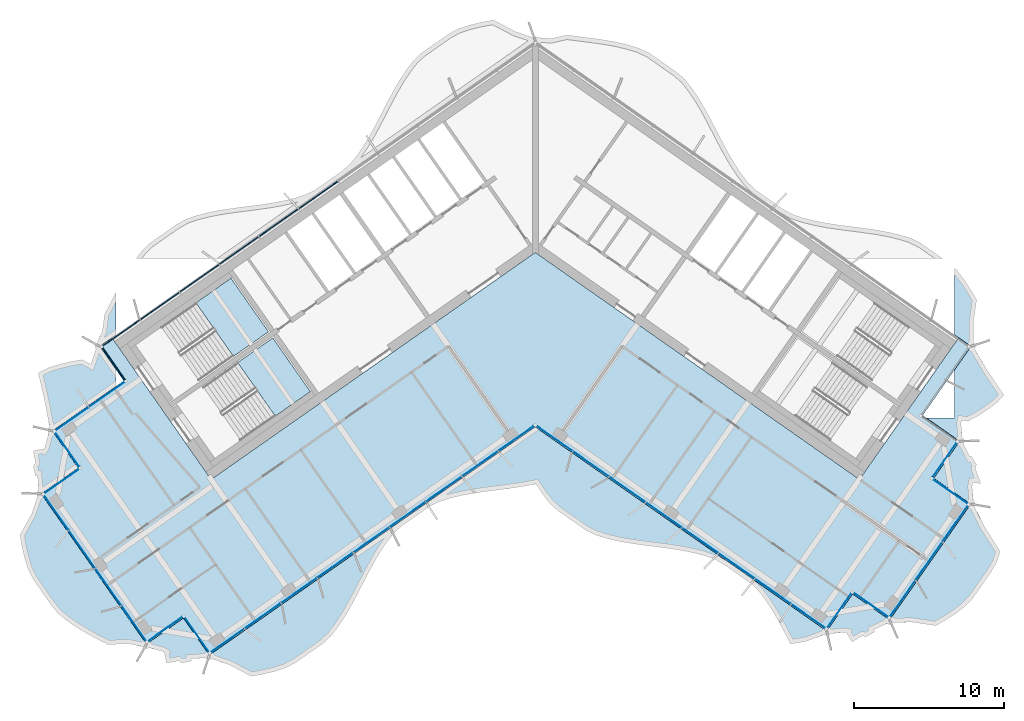
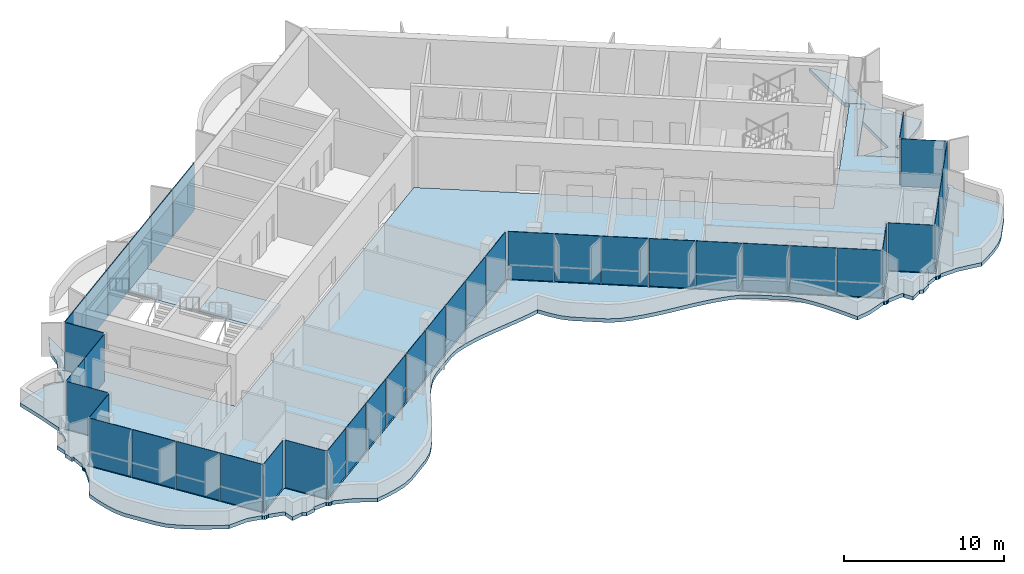
# One storey, part 7 of 17: 41 plates, 4 slabs, 4 elements without a shape of their own.
"""IFC4 building model written with IfcOpenShell, lengths in metres."""

from ifc_helpers import new_model, si_unit, direction, frame, origin, origin_2d, place, context, subcontext, project, spatial, polyline, rectangle, outline, extrude, material, layer, layer_set, type_object, element, aggregate, save


model = new_model("IFC4")

# Units and contexts
model_context = context("Model", 3, precision=1e-05, world=origin(), true_north=direction((0.0, 1.0)))
body_context = subcontext(model_context, "Body", "Model", "MODEL_VIEW")
ifc_project = project(units=[si_unit("LENGTHUNIT", "METRE"), si_unit("AREAUNIT", "SQUARE_METRE"), si_unit("VOLUMEUNIT", "CUBIC_METRE"), si_unit("PLANEANGLEUNIT", "RADIAN"), si_unit("MASSUNIT", "GRAM", prefix="KILO")], contexts=[model_context])

# Site, building, storey
site_placement = place(None, origin())
site = spatial("IfcSite", under=ifc_project, at=site_placement, CompositionType="ELEMENT")
building_placement = place(site_placement, origin())
building = spatial("IfcBuilding", under=site, at=building_placement, Name="Tel Ilan Convention Tower", CompositionType="ELEMENT")
storey_placement = place(building_placement, frame((0.0, 0.0, 283.89990234375)))
storey = spatial("IfcBuildingStorey", under=building, at=storey_placement, Name="L67", CompositionType="ELEMENT", Elevation=283.89990234375)

# Curtain wall, plates
ifc_material_1 = material(Name="Aluminium, bronze anodised", Category="aluminium")
curtain_wall_type_1 = type_object("IfcCurtainWallType", Name="CW2 STICK CURTAIN WALL, SPANDREL PANELS", PredefinedType="NOTDEFINED", material=ifc_material_1)
curtain_wall_1_placement = place(storey_placement, origin())
curtain_wall_1 = element("IfcCurtainWall", 1, at=curtain_wall_1_placement, inside=storey, type_object=curtain_wall_type_1, Name="Curtain wall CW2-50.01", PredefinedType="NOTDEFINED")
ifc_material_2 = material(Name="Aluminium composite panel, bronze anodised", Category="aluminium")
ifc_layer_1 = layer(ifc_material_2, 0.06005859375)
ifc_layer_set_1 = layer_set([ifc_layer_1], Name="CW SPANDREL PANEL 60")
plate_type_1 = type_object("IfcPlateType", Name="CW SPANDREL PANEL 60", PredefinedType="CURTAIN_PANEL", material=ifc_layer_set_1)
plate_1_placement = place(storey_placement, frame((-14.422119140625, 2.59765625, 0.0), z_axis=(0.0, 0.0, 1.0), x_axis=(-0.819152044289, -0.573576436351, 0.0)))
plate_1 = element("IfcPlate", 2, at=plate_1_placement, type_object=plate_type_1, Name="Spandrel panel", PredefinedType="CURTAIN_PANEL", context=body_context, shape_type="SweptSolid", body=[
    extrude(rectangle(XDim=3.15380859375, YDim=0.06005859375, at=origin_2d()), origin(), (0.0, 0.0, 1.0), 3.6201171875),
])
plate_2_placement = place(storey_placement, frame((-17.0546875, 0.754150390625, 0.0), z_axis=(0.0, 0.0, 1.0), x_axis=(-0.819152044289, -0.573576436351, 0.0)))
plate_2 = element("IfcPlate", 3, at=plate_2_placement, type_object=plate_type_1, Name="Spandrel panel", PredefinedType="CURTAIN_PANEL", context=body_context, shape_type="SweptSolid", body=[
    extrude(rectangle(XDim=3.15380859375, YDim=0.06005859375, at=origin_2d()), origin(), (0.0, 0.0, 1.0), 3.6201171875),
])
plate_3_placement = place(storey_placement, frame((-19.687255859375, -1.089111328125, 0.0), z_axis=(0.0, 0.0, 1.0), x_axis=(-0.819152044289, -0.573576436351, 0.0)))
plate_3 = element("IfcPlate", 4, at=plate_3_placement, type_object=plate_type_1, Name="Spandrel panel", PredefinedType="CURTAIN_PANEL", context=body_context, shape_type="SweptSolid", body=[
    extrude(rectangle(XDim=3.15380859375, YDim=0.06005859375, at=origin_2d()), origin(), (0.0, 0.0, 1.0), 3.6201171875),
])
plate_4_placement = place(storey_placement, frame((-22.31982421875, -2.9326171875, 0.0), z_axis=(0.0, 0.0, 1.0), x_axis=(-0.819152044289, -0.573576436351, 0.0)))
plate_4 = element("IfcPlate", 5, at=plate_4_placement, type_object=plate_type_1, Name="Spandrel panel", PredefinedType="CURTAIN_PANEL", context=body_context, shape_type="SweptSolid", body=[
    extrude(rectangle(XDim=3.15380859375, YDim=0.06005859375, at=origin_2d()), origin(), (0.0, 0.0, 1.0), 3.6201171875),
])
plate_5_placement = place(storey_placement, frame((-24.95263671875, -4.77587890625, 0.0), z_axis=(0.0, 0.0, 1.0), x_axis=(-0.819152044289, -0.573576436351, 0.0)))
plate_5 = element("IfcPlate", 6, at=plate_5_placement, type_object=plate_type_1, Name="Spandrel panel", PredefinedType="CURTAIN_PANEL", context=body_context, shape_type="SweptSolid", body=[
    extrude(rectangle(XDim=3.15380859375, YDim=0.06005859375, at=origin_2d()), origin(), (0.0, 0.0, 1.0), 3.6201171875),
])
plate_6_placement = place(storey_placement, frame((-27.5400390625, -6.587646484375, 0.0), z_axis=(0.0, 0.0, 1.0), x_axis=(-0.819152044289, -0.573576436351, 0.0)))
plate_6 = element("IfcPlate", 7, at=plate_6_placement, type_object=plate_type_1, Name="Spandrel panel", PredefinedType="CURTAIN_PANEL", context=body_context, shape_type="SweptSolid", body=[
    extrude(rectangle(XDim=3.0439453125, YDim=0.06005859375, at=origin_2d()), origin(), (0.0, 0.0, 1.0), 3.6201171875),
])
plate_7_placement = place(storey_placement, frame((-28.033935546875, -8.60546875, 0.0), z_axis=(0.0, 0.0, 1.0), x_axis=(0.573576436351, -0.819152044289, 0.0)))
plate_7 = element("IfcPlate", 8, at=plate_7_placement, type_object=plate_type_1, Name="Spandrel panel", PredefinedType="CURTAIN_PANEL", context=body_context, shape_type="SweptSolid", body=[
    extrude(rectangle(XDim=2.658935546875, YDim=0.06005859375, at=origin_2d()), origin(), (0.0, 0.0, 1.0), 3.6201171875),
])
aggregate(curtain_wall_1, [plate_1, plate_2, plate_3, plate_4, plate_5, plate_6, plate_7])

ifc_material_3 = material(Name="Aluminium, bronze anodised", Category="aluminium")
curtain_wall_type_2 = type_object("IfcCurtainWallType", Name="CW5 STICK CURTAIN WALL, UPPER OFFICE LOW-IRON TINTED GLASS", PredefinedType="NOTDEFINED", material=ifc_material_3)
curtain_wall_2_placement = place(storey_placement, origin())
curtain_wall_2 = element("IfcCurtainWall", 9, at=curtain_wall_2_placement, inside=storey, type_object=curtain_wall_type_2, Name="Curtain wall CW5-50.02", PredefinedType="NOTDEFINED")
ifc_material_4 = material(Name="Glass, low-iron bronze tinted, two-ply", Category="glass")
ifc_layer_2 = layer(ifc_material_4, 0.031982421875)
ifc_layer_set_2 = layer_set([ifc_layer_2], Name="CW UPPER GLASS PANEL 32")
plate_type_2 = type_object("IfcPlateType", Name="CW UPPER GLASS PANEL 32", PredefinedType="CURTAIN_PANEL", material=ifc_layer_set_2)
plate_8_placement = place(storey_placement, frame((-28.471435546875, -10.657958984375, 0.0), z_axis=(0.0, 0.0, 1.0), x_axis=(-0.819152044289, -0.573576436351, 0.0)))
plate_8 = element("IfcPlate", 10, at=plate_8_placement, type_object=plate_type_2, Name="Glass panel", PredefinedType="CURTAIN_PANEL", context=body_context, shape_type="SweptSolid", body=[
    extrude(rectangle(XDim=2.868896484375, YDim=0.028076171875, at=origin_2d()), origin(), (0.0, 0.0, 1.0), 3.6201171875),
])
plate_9_placement = place(storey_placement, frame((-30.8203125, -12.302734375, 0.0), z_axis=(0.0, 0.0, 1.0), x_axis=(-0.819152044289, -0.573576436351, 0.0)))
plate_9 = element("IfcPlate", 11, at=plate_9_placement, type_object=plate_type_2, Name="Glass panel", PredefinedType="CURTAIN_PANEL", context=body_context, shape_type="SweptSolid", body=[
    extrude(rectangle(XDim=2.74609375, YDim=0.028076171875, at=origin_2d()), origin(), (0.0, 0.0, 1.0), 3.6201171875),
])
plate_10_placement = place(storey_placement, frame((-31.126220703125, -14.30126953125, 0.0), z_axis=(0.0, 0.0, 1.0), x_axis=(0.573576436351, -0.819152044289, 0.0)))
plate_10 = element("IfcPlate", 12, at=plate_10_placement, type_object=plate_type_2, Name="Glass panel", PredefinedType="CURTAIN_PANEL", context=body_context, shape_type="SweptSolid", body=[
    extrude(rectangle(XDim=2.875, YDim=0.028076171875, at=origin_2d()), origin(), (0.0, 0.0, 1.0), 3.6201171875),
])
plate_11_placement = place(storey_placement, frame((-31.504150390625, -16.44384765625, 0.0), z_axis=(0.0, 0.0, 1.0), x_axis=(-0.819152044289, -0.573576436351, 0.0)))
plate_11 = element("IfcPlate", 13, at=plate_11_placement, type_object=plate_type_2, Name="Glass panel", PredefinedType="CURTAIN_PANEL", context=body_context, shape_type="SweptSolid", body=[
    extrude(rectangle(XDim=2.875, YDim=0.028076171875, at=origin_2d()), origin(), (0.0, 0.0, 1.0), 3.6201171875),
])
plate_12_placement = place(storey_placement, frame((-31.85693359375, -18.488037109375, 0.0), z_axis=(0.0, 0.0, 1.0), x_axis=(0.573576436351, -0.819152044289, 0.0)))
plate_12 = element("IfcPlate", 14, at=plate_12_placement, type_object=plate_type_2, Name="Glass panel", PredefinedType="CURTAIN_PANEL", context=body_context, shape_type="SweptSolid", body=[
    extrude(rectangle(XDim=2.89599609375, YDim=0.028076171875, at=origin_2d()), origin(), (0.0, 0.0, 1.0), 3.6201171875),
])
plate_13_placement = place(storey_placement, frame((-30.134521484375, -20.94775390625, 0.0), z_axis=(0.0, 0.0, 1.0), x_axis=(0.573576436351, -0.819152044289, 0.0)))
plate_13 = element("IfcPlate", 15, at=plate_13_placement, type_object=plate_type_2, Name="Glass panel", PredefinedType="CURTAIN_PANEL", context=body_context, shape_type="SweptSolid", body=[
    extrude(rectangle(XDim=2.989990234375, YDim=0.028076171875, at=origin_2d()), origin(), (0.0, 0.0, 1.0), 3.6201171875),
])
plate_14_placement = place(storey_placement, frame((-28.38525390625, -23.4462890625, 0.0), z_axis=(0.0, 0.0, 1.0), x_axis=(0.573576436351, -0.819152044289, 0.0)))
plate_14 = element("IfcPlate", 16, at=plate_14_placement, type_object=plate_type_2, Name="Glass panel", PredefinedType="CURTAIN_PANEL", context=body_context, shape_type="SweptSolid", body=[
    extrude(rectangle(XDim=2.989990234375, YDim=0.028076171875, at=origin_2d()), origin(), (0.0, 0.0, 1.0), 3.6201171875),
])
plate_15_placement = place(storey_placement, frame((-26.66259765625, -25.90625, 0.0), z_axis=(0.0, 0.0, 1.0), x_axis=(0.573576436351, -0.819152044289, 0.0)))
plate_15 = element("IfcPlate", 17, at=plate_15_placement, type_object=plate_type_2, Name="Glass panel", PredefinedType="CURTAIN_PANEL", context=body_context, shape_type="SweptSolid", body=[
    extrude(rectangle(XDim=2.89599609375, YDim=0.028076171875, at=origin_2d()), origin(), (0.0, 0.0, 1.0), 3.6201171875),
])
plate_16_placement = place(storey_placement, frame((-24.621337890625, -26.273681640625, 0.0), z_axis=(0.0, 0.0, 1.0), x_axis=(0.819152044289, 0.573576436351, 0.0)))
plate_16 = element("IfcPlate", 18, at=plate_16_placement, type_object=plate_type_2, Name="Glass panel", PredefinedType="CURTAIN_PANEL", context=body_context, shape_type="SweptSolid", body=[
    extrude(rectangle(XDim=2.875, YDim=0.028076171875, at=origin_2d()), origin(), (0.0, 0.0, 1.0), 3.6201171875),
])
plate_17_placement = place(storey_placement, frame((-22.478515625, -26.651611328125, 0.0), z_axis=(0.0, 0.0, 1.0), x_axis=(0.573576436351, -0.819152044289, 0.0)))
plate_17 = element("IfcPlate", 19, at=plate_17_placement, type_object=plate_type_2, Name="Glass panel", PredefinedType="CURTAIN_PANEL", context=body_context, shape_type="SweptSolid", body=[
    extrude(rectangle(XDim=2.875, YDim=0.028076171875, at=origin_2d()), origin(), (0.0, 0.0, 1.0), 3.6201171875),
])
plate_18_placement = place(storey_placement, frame((-20.47998046875, -27.036376953125, 0.0), z_axis=(0.0, 0.0, 1.0), x_axis=(0.819152044289, 0.573576436351, 0.0)))
plate_18 = element("IfcPlate", 20, at=plate_18_placement, type_object=plate_type_2, Name="Glass panel", PredefinedType="CURTAIN_PANEL", context=body_context, shape_type="SweptSolid", body=[
    extrude(rectangle(XDim=2.78466796875, YDim=0.028076171875, at=origin_2d()), origin(), (0.0, 0.0, 1.0), 3.6201171875),
])
plate_19_placement = place(storey_placement, frame((-18.111328125, -25.377685546875, 0.0), z_axis=(0.0, 0.0, 1.0), x_axis=(0.819152044289, 0.573576436351, 0.0)))
plate_19 = element("IfcPlate", 21, at=plate_19_placement, type_object=plate_type_2, Name="Glass panel", PredefinedType="CURTAIN_PANEL", context=body_context, shape_type="SweptSolid", body=[
    extrude(rectangle(XDim=2.878662109375, YDim=0.028076171875, at=origin_2d()), origin(), (0.0, 0.0, 1.0), 3.6201171875),
])
plate_20_placement = place(storey_placement, frame((-15.7041015625, -23.692138671875, 0.0), z_axis=(0.0, 0.0, 1.0), x_axis=(0.819152044289, 0.573576436351, 0.0)))
plate_20 = element("IfcPlate", 22, at=plate_20_placement, type_object=plate_type_2, Name="Glass panel", PredefinedType="CURTAIN_PANEL", context=body_context, shape_type="SweptSolid", body=[
    extrude(rectangle(XDim=2.878662109375, YDim=0.028076171875, at=origin_2d()), origin(), (0.0, 0.0, 1.0), 3.6201171875),
])
plate_21_placement = place(storey_placement, frame((-13.296875, -22.006591796875, 0.0), z_axis=(0.0, 0.0, 1.0), x_axis=(0.819152044289, 0.573576436351, 0.0)))
plate_21 = element("IfcPlate", 23, at=plate_21_placement, type_object=plate_type_2, Name="Glass panel", PredefinedType="CURTAIN_PANEL", context=body_context, shape_type="SweptSolid", body=[
    extrude(rectangle(XDim=2.878662109375, YDim=0.028076171875, at=origin_2d()), origin(), (0.0, 0.0, 1.0), 3.6201171875),
])
plate_22_placement = place(storey_placement, frame((-10.8896484375, -20.321044921875, 0.0), z_axis=(0.0, 0.0, 1.0), x_axis=(0.819152044289, 0.573576436351, 0.0)))
plate_22 = element("IfcPlate", 24, at=plate_22_placement, type_object=plate_type_2, Name="Glass panel", PredefinedType="CURTAIN_PANEL", context=body_context, shape_type="SweptSolid", body=[
    extrude(rectangle(XDim=2.878662109375, YDim=0.028076171875, at=origin_2d()), origin(), (0.0, 0.0, 1.0), 3.6201171875),
])
plate_23_placement = place(storey_placement, frame((-8.482666015625, -18.635498046875, 0.0), z_axis=(0.0, 0.0, 1.0), x_axis=(0.819152044289, 0.573576436351, 0.0)))
plate_23 = element("IfcPlate", 25, at=plate_23_placement, type_object=plate_type_2, Name="Glass panel", PredefinedType="CURTAIN_PANEL", context=body_context, shape_type="SweptSolid", body=[
    extrude(rectangle(XDim=2.878662109375, YDim=0.028076171875, at=origin_2d()), origin(), (0.0, 0.0, 1.0), 3.6201171875),
])
plate_24_placement = place(storey_placement, frame((-6.075439453125, -16.949951171875, 0.0), z_axis=(0.0, 0.0, 1.0), x_axis=(0.819152044289, 0.573576436351, 0.0)))
plate_24 = element("IfcPlate", 26, at=plate_24_placement, type_object=plate_type_2, Name="Glass panel", PredefinedType="CURTAIN_PANEL", context=body_context, shape_type="SweptSolid", body=[
    extrude(rectangle(XDim=2.878662109375, YDim=0.028076171875, at=origin_2d()), origin(), (0.0, 0.0, 1.0), 3.6201171875),
])
plate_25_placement = place(storey_placement, frame((-3.668212890625, -15.264404296875, 0.0), z_axis=(0.0, 0.0, 1.0), x_axis=(0.819152044289, 0.573576436351, 0.0)))
plate_25 = element("IfcPlate", 27, at=plate_25_placement, type_object=plate_type_2, Name="Glass panel", PredefinedType="CURTAIN_PANEL", context=body_context, shape_type="SweptSolid", body=[
    extrude(rectangle(XDim=2.878662109375, YDim=0.028076171875, at=origin_2d()), origin(), (0.0, 0.0, 1.0), 3.6201171875),
])
plate_26_placement = place(storey_placement, frame((-1.261474609375, -13.579345703125, 0.0), z_axis=(0.0, 0.0, 1.0), x_axis=(0.819152044289, 0.573576436351, 0.0)))
plate_26 = element("IfcPlate", 28, at=plate_26_placement, type_object=plate_type_2, Name="Glass panel", PredefinedType="CURTAIN_PANEL", context=body_context, shape_type="SweptSolid", body=[
    extrude(rectangle(XDim=2.877685546875, YDim=0.028076171875, at=origin_2d()), origin(), (0.0, 0.0, 1.0), 3.6201171875),
])
plate_27_placement = place(storey_placement, frame((1.280029296875, -13.59228515625, 0.0), z_axis=(0.0, 0.0, 1.0), x_axis=(0.819152044289, -0.573576436351, 0.0)))
plate_27 = element("IfcPlate", 29, at=plate_27_placement, type_object=plate_type_2, Name="Glass panel", PredefinedType="CURTAIN_PANEL", context=body_context, shape_type="SweptSolid", body=[
    extrude(rectangle(XDim=2.866943359375, YDim=0.028076171875, at=origin_2d()), origin(), (0.0, 0.0, 1.0), 3.6201171875),
])
plate_28_placement = place(storey_placement, frame((3.689453125, -15.279541015625, 0.0), z_axis=(0.0, 0.0, 1.0), x_axis=(0.819152044289, -0.573576436351, 0.0)))
plate_28 = element("IfcPlate", 30, at=plate_28_placement, type_object=plate_type_2, Name="Glass panel", PredefinedType="CURTAIN_PANEL", context=body_context, shape_type="SweptSolid", body=[
    extrude(rectangle(XDim=2.89599609375, YDim=0.028076171875, at=origin_2d()), origin(), (0.0, 0.0, 1.0), 3.6201171875),
])
plate_29_placement = place(storey_placement, frame((6.11083984375, -16.974853515625, 0.0), z_axis=(0.0, 0.0, 1.0), x_axis=(0.819152044289, -0.573576436351, 0.0)))
plate_29 = element("IfcPlate", 31, at=plate_29_placement, type_object=plate_type_2, Name="Glass panel", PredefinedType="CURTAIN_PANEL", context=body_context, shape_type="SweptSolid", body=[
    extrude(rectangle(XDim=2.89599609375, YDim=0.028076171875, at=origin_2d()), origin(), (0.0, 0.0, 1.0), 3.6201171875),
])
plate_30_placement = place(storey_placement, frame((8.5322265625, -18.67041015625, 0.0), z_axis=(0.0, 0.0, 1.0), x_axis=(0.819152044289, -0.573576436351, 0.0)))
plate_30 = element("IfcPlate", 32, at=plate_30_placement, type_object=plate_type_2, Name="Glass panel", PredefinedType="CURTAIN_PANEL", context=body_context, shape_type="SweptSolid", body=[
    extrude(rectangle(XDim=2.89599609375, YDim=0.028076171875, at=origin_2d()), origin(), (0.0, 0.0, 1.0), 3.6201171875),
])
plate_31_placement = place(storey_placement, frame((10.95361328125, -20.365966796875, 0.0), z_axis=(0.0, 0.0, 1.0), x_axis=(0.819152044289, -0.573576436351, 0.0)))
plate_31 = element("IfcPlate", 33, at=plate_31_placement, type_object=plate_type_2, Name="Glass panel", PredefinedType="CURTAIN_PANEL", context=body_context, shape_type="SweptSolid", body=[
    extrude(rectangle(XDim=2.89599609375, YDim=0.028076171875, at=origin_2d()), origin(), (0.0, 0.0, 1.0), 3.6201171875),
])
plate_32_placement = place(storey_placement, frame((13.375, -22.061279296875, 0.0), z_axis=(0.0, 0.0, 1.0), x_axis=(0.819152044289, -0.573576436351, 0.0)))
plate_32 = element("IfcPlate", 34, at=plate_32_placement, type_object=plate_type_2, Name="Glass panel", PredefinedType="CURTAIN_PANEL", context=body_context, shape_type="SweptSolid", body=[
    extrude(rectangle(XDim=2.89599609375, YDim=0.028076171875, at=origin_2d()), origin(), (0.0, 0.0, 1.0), 3.6201171875),
])
plate_33_placement = place(storey_placement, frame((15.79638671875, -23.7568359375, 0.0), z_axis=(0.0, 0.0, 1.0), x_axis=(0.819152044289, -0.573576436351, 0.0)))
plate_33 = element("IfcPlate", 35, at=plate_33_placement, type_object=plate_type_2, Name="Glass panel", PredefinedType="CURTAIN_PANEL", context=body_context, shape_type="SweptSolid", body=[
    extrude(rectangle(XDim=2.89599609375, YDim=0.028076171875, at=origin_2d()), origin(), (0.0, 0.0, 1.0), 3.6201171875),
])
plate_34_placement = place(storey_placement, frame((18.17919921875, -25.42529296875, 0.0), z_axis=(0.0, 0.0, 1.0), x_axis=(0.819152044289, -0.573576436351, 0.0)))
plate_34 = element("IfcPlate", 36, at=plate_34_placement, type_object=plate_type_2, Name="Glass panel", PredefinedType="CURTAIN_PANEL", context=body_context, shape_type="SweptSolid", body=[
    extrude(rectangle(XDim=2.802001953125, YDim=0.028076171875, at=origin_2d()), origin(), (0.0, 0.0, 1.0), 3.6201171875),
])
plate_35_placement = place(storey_placement, frame((20.184814453125, -25.04541015625, 0.0), z_axis=(0.0, 0.0, 1.0), x_axis=(0.573576436351, 0.819152044289, 0.0)))
plate_35 = element("IfcPlate", 37, at=plate_35_placement, type_object=plate_type_2, Name="Glass panel", PredefinedType="CURTAIN_PANEL", context=body_context, shape_type="SweptSolid", body=[
    extrude(rectangle(XDim=2.875, YDim=0.028076171875, at=origin_2d()), origin(), (0.0, 0.0, 1.0), 3.6201171875),
])
plate_36_placement = place(storey_placement, frame((22.32763671875, -24.667724609375, 0.0), z_axis=(0.0, 0.0, 1.0), x_axis=(0.819152044289, -0.573576436351, 0.0)))
plate_36 = element("IfcPlate", 38, at=plate_36_placement, type_object=plate_type_2, Name="Glass panel", PredefinedType="CURTAIN_PANEL", context=body_context, shape_type="SweptSolid", body=[
    extrude(rectangle(XDim=2.875, YDim=0.028076171875, at=origin_2d()), origin(), (0.0, 0.0, 1.0), 3.6201171875),
])
plate_37_placement = place(storey_placement, frame((24.39306640625, -24.26611328125, 0.0), z_axis=(0.0, 0.0, 1.0), x_axis=(0.573576436351, 0.819152044289, 0.0)))
plate_37 = element("IfcPlate", 39, at=plate_37_placement, type_object=plate_type_2, Name="Glass panel", PredefinedType="CURTAIN_PANEL", context=body_context, shape_type="SweptSolid", body=[
    extrude(rectangle(XDim=2.979248046875, YDim=0.028076171875, at=origin_2d()), origin(), (0.0, 0.0, 1.0), 3.6201171875),
])
plate_38_placement = place(storey_placement, frame((26.163330078125, -21.73779296875, 0.0), z_axis=(0.0, 0.0, 1.0), x_axis=(0.573576436351, 0.819152044289, 0.0)))
plate_38 = element("IfcPlate", 40, at=plate_38_placement, type_object=plate_type_2, Name="Glass panel", PredefinedType="CURTAIN_PANEL", context=body_context, shape_type="SweptSolid", body=[
    extrude(rectangle(XDim=3.0732421875, YDim=0.028076171875, at=origin_2d()), origin(), (0.0, 0.0, 1.0), 3.6201171875),
])
plate_39_placement = place(storey_placement, frame((27.93359375, -19.209716796875, 0.0), z_axis=(0.0, 0.0, 1.0), x_axis=(0.573576436351, 0.819152044289, 0.0)))
plate_39 = element("IfcPlate", 41, at=plate_39_placement, type_object=plate_type_2, Name="Glass panel", PredefinedType="CURTAIN_PANEL", context=body_context, shape_type="SweptSolid", body=[
    extrude(rectangle(XDim=2.979248046875, YDim=0.028076171875, at=origin_2d()), origin(), (0.0, 0.0, 1.0), 3.6201171875),
])
plate_40_placement = place(storey_placement, frame((27.6044921875, -17.131591796875, 0.0), z_axis=(0.0, 0.0, 1.0), x_axis=(-0.819152044289, 0.573576436351, 0.0)))
plate_40 = element("IfcPlate", 42, at=plate_40_placement, type_object=plate_type_2, Name="Glass panel", PredefinedType="CURTAIN_PANEL", context=body_context, shape_type="SweptSolid", body=[
    extrude(rectangle(XDim=2.875, YDim=0.028076171875, at=origin_2d()), origin(), (0.0, 0.0, 1.0), 3.6201171875),
])
plate_41_placement = place(storey_placement, frame((27.2265625, -14.98876953125, 0.0), z_axis=(0.0, 0.0, 1.0), x_axis=(0.573576436351, 0.819152044289, 0.0)))
plate_41 = element("IfcPlate", 43, at=plate_41_placement, type_object=plate_type_2, Name="Glass panel", PredefinedType="CURTAIN_PANEL", context=body_context, shape_type="SweptSolid", body=[
    extrude(rectangle(XDim=2.875, YDim=0.028076171875, at=origin_2d()), origin(), (0.0, 0.0, 1.0), 3.6201171875),
])
aggregate(curtain_wall_2, [plate_8, plate_9, plate_10, plate_11, plate_12, plate_13, plate_14, plate_15, plate_16, plate_17, plate_18, plate_19, plate_20, plate_21, plate_22, plate_23, plate_24, plate_25, plate_26, plate_27, plate_28, plate_29, plate_30, plate_31, plate_32, plate_33, plate_34, plate_35, plate_36, plate_37, plate_38, plate_39, plate_40, plate_41])

# Stair, slab
ifc_material_5 = material(Name="Concrete C40/50", Category="concrete")
stair_type = type_object("IfcStairType", Name="Pressurised Exit Stair 22 risers 177 mm", PredefinedType="HALF_TURN_STAIR", material=ifc_material_5)
stair_1_placement = place(storey_placement, origin())
stair_1 = element("IfcStair", 44, at=stair_1_placement, inside=storey, type_object=stair_type, Name="L67 Pressurised Stair S1", PredefinedType="HALF_TURN_STAIR")
ifc_material_6 = material(Name="Concrete C40/50", Category="concrete")
ifc_layer_3 = layer(ifc_material_6, 0.199951171875)
ifc_layer_set_3 = layer_set([ifc_layer_3], Name="Concrete Stair Landing 200 mm C40/50")
slab_type_1 = type_object("IfcSlabType", Name="Concrete Stair Landing 200 mm", PredefinedType="LANDING", material=ifc_layer_set_3)
slab_1_placement = place(storey_placement, frame((0.0, 0.0, 1.75)))
slab_1 = element("IfcSlab", 45, at=slab_1_placement, type_object=slab_type_1, Name="S1 landing 1", PredefinedType="LANDING", context=body_context, shape_type="SweptSolid", body=[
    extrude(outline(polyline([(-20.066650390625, -8.130126953125), (-17.7314453125, -6.494873046875), (-20.226318359375, -2.931640625), (-22.561767578125, -4.566650390625), (-20.066650390625, -8.130126953125)])), origin(), (0.0, 0.0, 1.0), 0.2001953125),
])
aggregate(stair_1, [slab_1])

stair_2_placement = place(storey_placement, origin())
stair_2 = element("IfcStair", 46, at=stair_2_placement, inside=storey, type_object=stair_type, Name="L67 Pressurised Stair S2", PredefinedType="HALF_TURN_STAIR")
slab_2_placement = place(storey_placement, frame((0.0, 0.0, 1.75)))
slab_2 = element("IfcSlab", 47, at=slab_2_placement, type_object=slab_type_1, Name="S2 landing 1", PredefinedType="LANDING", context=body_context, shape_type="SweptSolid", body=[
    extrude(outline(polyline([(-17.28466796875, -12.10302734375), (-14.949462890625, -10.4677734375), (-17.444580078125, -6.904541015625), (-19.77978515625, -8.53955078125), (-17.28466796875, -12.10302734375)])), origin(), (0.0, 0.0, 1.0), 0.2001953125),
])
aggregate(stair_2, [slab_2])

# Slabs
ifc_material_7 = material(Name="Concrete C40/50", Category="concrete")
ifc_layer_4 = layer(ifc_material_7, 0.280029296875)
ifc_layer_set_4 = layer_set([ifc_layer_4], Name="Edge Ledge Slab 280 mm C40/50")
slab_type_2 = type_object("IfcSlabType", Name="Edge Ledge Slab 280 mm C40/50", PredefinedType="FLOOR", material=ifc_layer_set_4)
slab_3_placement = place(storey_placement, frame((0.0, 0.0, -0.27978515625)))
element("IfcSlab", 48, at=slab_3_placement, inside=storey, type_object=slab_type_2, Name="L67 edge ledge 1", PredefinedType="FLOOR", context=body_context, shape_type="SweptSolid", body=[
    extrude(outline(polyline([(-23.49462890625, -28.5126953125), (-23.728759765625, -28.3701171875), (-24.51416015625, -28.518310546875), (-24.64697265625, -27.87890625), (-24.61669921875, -27.8291015625), (-24.7724609375, -27.73388671875), (-25.6708984375, -27.4970703125), (-25.67431640625, -27.4921875), (-25.728271484375, -27.5283203125), (-25.843017578125, -27.55126953125), (-25.957763671875, -27.5283203125), (-26.05517578125, -27.46337890625), (-26.083984375, -27.420166015625), (-26.088623046875, -27.42333984375), (-27.05419921875, -27.223388671875), (-28.398193359375, -27.288330078125), (-29.12353515625, -26.920166015625), (-29.82373046875, -26.5341796875), (-30.49462890625, -26.1279296875), (-31.125732421875, -25.69384765625), (-31.707763671875, -25.22509765625), (-32.166748046875, -24.670654296875), (-33.401611328125, -22.906982421875), (-33.7158203125, -22.2509765625), (-33.940185546875, -21.531982421875), (-34.1181640625, -20.780517578125), (-34.248779296875, -19.995849609375), (-33.47021484375, -18.574462890625), (-33.08642578125, -17.4296875), (-33.081787109375, -17.426513671875), (-33.117919921875, -17.372314453125), (-33.140625, -17.257568359375), (-33.117919921875, -17.142822265625), (-33.052734375, -17.04541015625), (-33.009521484375, -17.0166015625), (-33.0126953125, -17.011962890625), (-33.085693359375, -16.03955078125), (-33.232666015625, -16.067138671875), (-33.365478515625, -15.427490234375), (-33.22265625, -15.193603515625), (-33.370849609375, -14.408203125), (-32.7314453125, -14.275390625), (-32.681640625, -14.3056640625), (-32.586669921875, -14.14990234375), (-32.349609375, -13.25146484375), (-32.344970703125, -13.248291015625), (-32.381103515625, -13.194091796875), (-32.40380859375, -13.079345703125), (-32.381103515625, -12.964599609375), (-32.31591796875, -12.8671875), (-32.272705078125, -12.83837890625), (-32.27587890625, -12.833740234375), (-32.6083984375, -11.094970703125), (-33.031982421875, -9.225830078125), (-32.382080078125, -8.890380859375), (-31.6572265625, -8.661376953125), (-30.899169921875, -8.47998046875), (-30.110107421875, -8.3427734375), (-29.537353515625, -8.652587890625), (-29.20458984375, -7.631103515625), (-29.199951171875, -7.6279296875), (-29.236083984375, -7.57373046875), (-29.2587890625, -7.458984375), (-29.236083984375, -7.34423828125), (-29.1708984375, -7.246826171875), (-29.127685546875, -7.218017578125), (-29.130859375, -7.21337890625), (-28.772216796875, -6.441650390625), (-28.635009765625, -5.353515625), (-28.252685546875, -4.614990234375), (-27.875, -3.881103515625), (-27.875, -6.7001953125), (-28.958740234375, -7.458984375), (-27.875, -9.007080078125), (-27.875, -10.1181640625), (-32.10400390625, -13.079345703125), (-30.383056640625, -15.536865234375), (-32.840576171875, -17.257568359375), (-25.843017578125, -27.251220703125), (-23.385498046875, -25.530517578125), (-21.664794921875, -27.988037109375), (0.0, -12.818115234375), (19.37109375, -26.382080078125), (21.091796875, -23.924560546875), (23.54931640625, -25.645263671875), (28.94091796875, -17.9453125), (26.4833984375, -16.224609375), (28.2041015625, -13.76708984375), (26.023681640625, -12.239990234375), (27.875, -12.239990234375), (27.875, -9.007080078125), (28.958740234375, -7.458984375), (27.875, -6.7001953125), (27.875, -2.269287109375), (28.0107421875, -2.392578125), (28.48388671875, -3.001220703125), (28.922119140625, -3.6591796875), (29.331298828125, -4.35888671875), (29.109619140625, -5.95947265625), (29.130859375, -7.21337890625), (29.127685546875, -7.218017578125), (29.1708984375, -7.246826171875), (29.236083984375, -7.34423828125), (29.2587890625, -7.458984375), (29.236083984375, -7.57373046875), (29.199951171875, -7.6279296875), (29.20458984375, -7.631103515625), (30.056640625, -9.082275390625), (31.151123046875, -10.703125), (30.66748046875, -11.218994140625), (30.077880859375, -11.660888671875), (29.445068359375, -12.072265625), (28.752685546875, -12.44189453125), (28.33642578125, -12.373291015625), (28.291748046875, -12.595947265625), (28.376220703125, -13.521240234375), (28.373046875, -13.52587890625), (28.41650390625, -13.554931640625), (28.4814453125, -13.652099609375), (28.504150390625, -13.76708984375), (28.4814453125, -13.8818359375), (28.4453125, -13.935791015625), (28.449951171875, -13.939208984375), (28.889404296875, -14.805419921875), (28.979736328125, -14.751708984375), (29.3232421875, -15.30712890625), (29.26171875, -15.613037109375), (29.61181640625, -16.583740234375), (29.080078125, -16.5166015625), (29.028564453125, -16.774169921875), (29.113037109375, -17.699462890625), (29.10986328125, -17.7041015625), (29.153076171875, -17.733154296875), (29.218017578125, -17.830322265625), (29.240966796875, -17.9453125), (29.218017578125, -18.06005859375), (29.181884765625, -18.114013671875), (29.186767578125, -18.1171875), (29.872314453125, -19.47998046875), (30.8984375, -21.081298828125), (30.669189453125, -21.803466796875), (30.31298828125, -22.436767578125), (29.068603515625, -24.213623046875), (28.5625, -24.741943359375), (27.960693359375, -25.203369140625), (27.311767578125, -25.631591796875), (26.617919921875, -26.0283203125), (25.015625, -25.789306640625), (23.795166015625, -25.8173828125), (23.790283203125, -25.81396484375), (23.761474609375, -25.857421875), (23.664306640625, -25.92236328125), (23.54931640625, -25.9453125), (23.4345703125, -25.92236328125), (23.380615234375, -25.88623046875), (23.377197265625, -25.89111328125), (22.488525390625, -26.292236328125), (22.564697265625, -26.4208984375), (22.00927734375, -26.76416015625), (21.740478515625, -26.710205078125), (21.052978515625, -27.1181640625), (20.709716796875, -26.5625), (20.72119140625, -26.50537109375), (20.542236328125, -26.469482421875), (19.616943359375, -26.553955078125), (19.6123046875, -26.55078125), (19.583251953125, -26.593994140625), (19.486083984375, -26.6591796875), (19.37109375, -26.681884765625), (19.25634765625, -26.6591796875), (19.202392578125, -26.623046875), (19.19921875, -26.627685546875), (17.98388671875, -27.074951171875), (16.96240234375, -27.2451171875), (16.57958984375, -26.50341796875), (16.18994140625, -25.771728515625), (15.782958984375, -25.064453125), (15.349853515625, -24.39453125), (14.88330078125, -23.7724609375), (14.356201171875, -23.23681640625), (12.540283203125, -21.965087890625), (11.8955078125, -21.59765625), (11.16455078125, -21.353271484375), (10.3974609375, -21.159912109375), (9.601806640625, -21.008056640625), (8.785888671875, -20.885009765625), (7.958740234375, -20.777587890625), (7.130615234375, -20.672119140625), (6.311279296875, -20.553955078125), (5.510009765625, -20.40966796875), (4.73583984375, -20.22705078125), (3.99609375, -19.9951171875), (3.325927734375, -19.663818359375), (1.510009765625, -18.39208984375), (0.956298828125, -17.894287109375), (0.481201171875, -17.28466796875), (0.041015625, -16.624755859375), (0.03369140625, -16.6123046875), (-0.023681640625, -16.626708984375), (-0.816650390625, -16.775146484375), (-1.62890625, -16.895751953125), (-2.45166015625, -17.001953125), (-3.274658203125, -17.107421875), (-4.08837890625, -17.225830078125), (-4.8837890625, -17.370849609375), (-5.65234375, -17.55419921875), (-6.386474609375, -17.78662109375), (-7.049560546875, -18.12060546875), (-8.85498046875, -19.384521484375), (-9.404541015625, -19.880615234375), (-9.877197265625, -20.486572265625), (-10.314697265625, -21.142333984375), (-10.724853515625, -21.83740234375), (-11.11572265625, -22.56005859375), (-11.49658203125, -23.296875), (-11.877197265625, -24.0341796875), (-12.267333984375, -24.7578125), (-12.67626953125, -25.454833984375), (-13.1123046875, -26.113037109375), (-13.582763671875, -26.721923828125), (-14.12646484375, -27.226318359375), (-15.931884765625, -28.490478515625), (-16.588623046875, -28.833251953125), (-17.32080078125, -29.068603515625), (-18.08740234375, -29.25439453125), (-18.88330078125, -29.3984375), (-20.311279296875, -28.64013671875), (-21.49267578125, -28.233642578125), (-21.49609375, -28.22900390625), (-21.550048828125, -28.26513671875), (-21.664794921875, -28.2880859375), (-21.779541015625, -28.26513671875), (-21.876953125, -28.2001953125), (-21.906005859375, -28.15673828125), (-21.910400390625, -28.16015625), (-22.8828125, -28.233154296875), (-22.855224609375, -28.3798828125), (-23.49462890625, -28.5126953125)])), origin(), (0.0, 0.0, 1.0), 0.27978515625),
])
ifc_material_8 = material(Name="Concrete C40/50", Category="concrete")
ifc_layer_5 = layer(ifc_material_8, 0.280029296875)
ifc_layer_set_5 = layer_set([ifc_layer_5], Name="Flat Plate Floor Slab 280 mm C40/50")
slab_type_3 = type_object("IfcSlabType", Name="Flat Plate Floor Slab 280 mm C40/50", PredefinedType="FLOOR", material=ifc_layer_set_5)
slab_4_placement = place(storey_placement, frame((0.0, 0.0, -0.27978515625)))
element("IfcSlab", 49, at=slab_4_placement, inside=storey, type_object=slab_type_3, Name="L67 floor slab", PredefinedType="FLOOR", context=body_context, shape_type="SweptSolid", body=[
    extrude(outline(polyline([(-21.54345703125, -16.3056640625), (0.0, -1.220703125), (21.54345703125, -16.3056640625), (28.1396484375, -6.885498046875), (28.958740234375, -7.458984375), (25.746826171875, -12.04638671875), (28.2041015625, -13.76708984375), (26.4833984375, -16.224609375), (28.94091796875, -17.9453125), (23.54931640625, -25.645263671875), (21.091796875, -23.924560546875), (19.37109375, -26.382080078125), (0.0, -12.818115234375), (-21.664794921875, -27.988037109375), (-23.385498046875, -25.530517578125), (-25.843017578125, -27.251220703125), (-32.840576171875, -17.257568359375), (-30.383056640625, -15.536865234375), (-32.10400390625, -13.079345703125), (-27.352783203125, -9.752685546875), (-28.958740234375, -7.458984375), (-28.1396484375, -6.885498046875), (-21.54345703125, -16.3056640625)])), origin(), (0.0, 0.0, 1.0), 0.27978515625),
])

save(model, "model.ifc")
